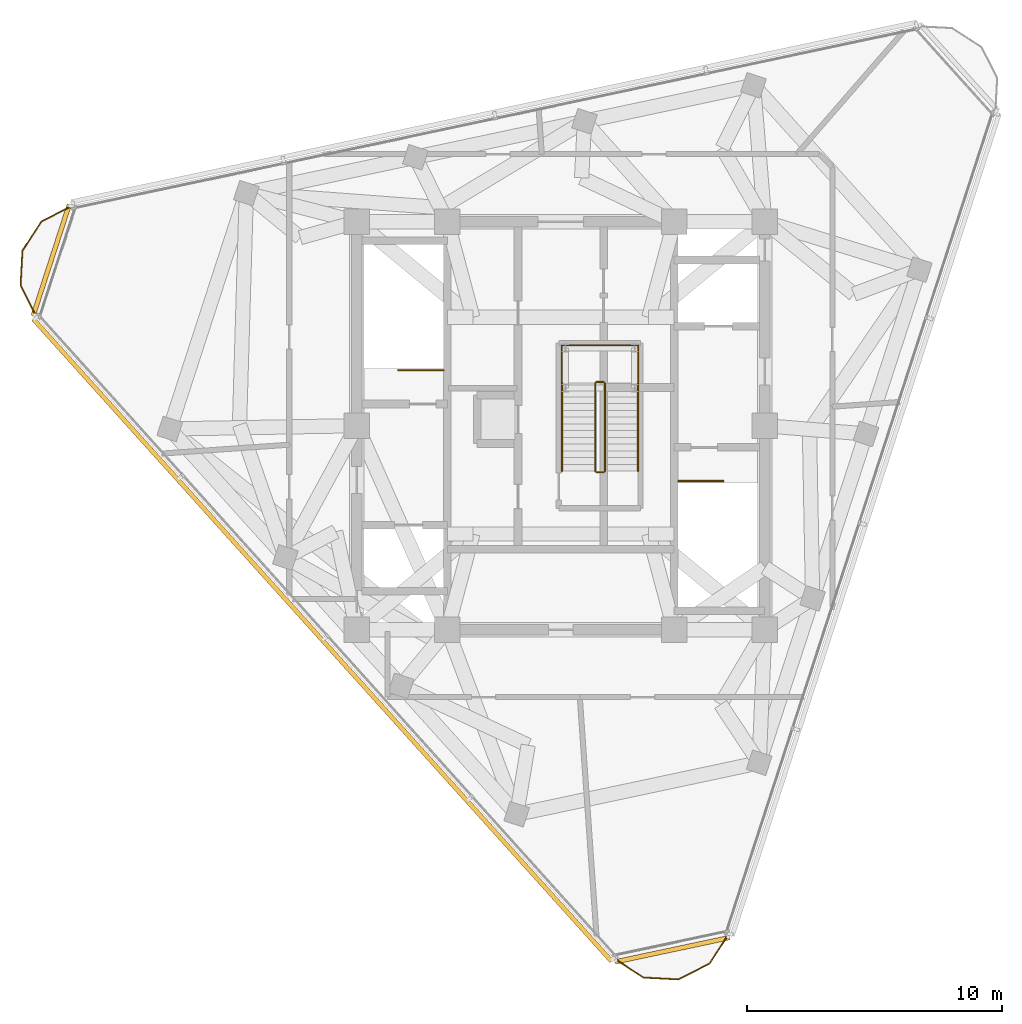
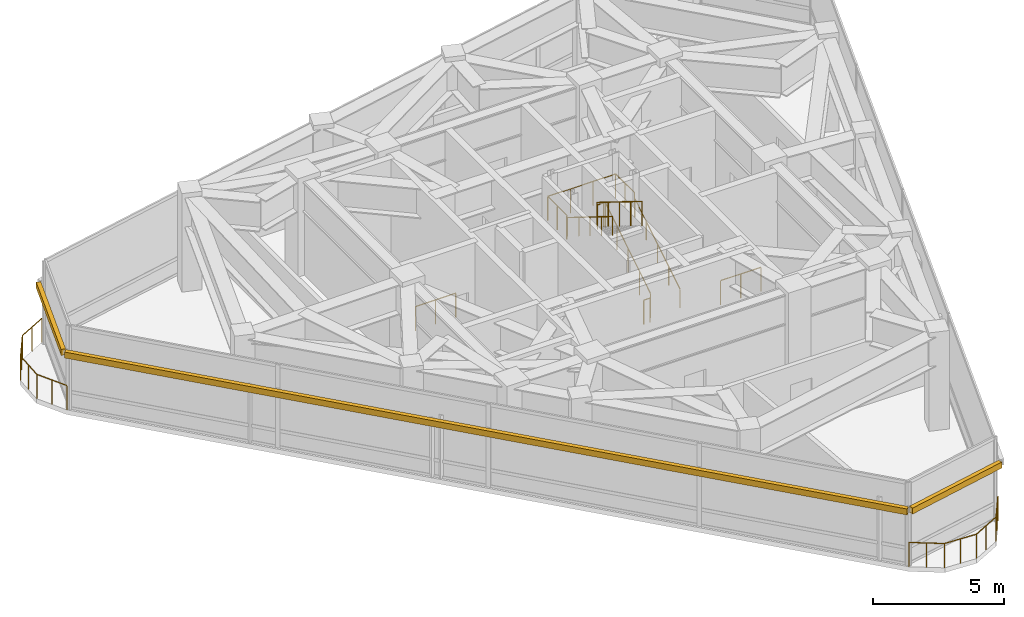
# One storey, part 9 of 11: 13 railings, 3 shading devices.
"""IFC4 building model written with IfcOpenShell, lengths in metres."""

from ifc_helpers import new_model, si_unit, direction, frame, origin, origin_2d, place, context, subcontext, project, spatial, rectangle, circle, extrude, material, layer, layer_set, type_object, element, save


model = new_model("IFC4")

# Units and contexts
model_context = context("Model", 3, precision=1e-05, world=origin(), true_north=direction((0.0, 1.0)))
body_context = subcontext(model_context, "Body", "Model", "MODEL_VIEW")
ifc_project = project(units=[si_unit("LENGTHUNIT", "METRE"), si_unit("AREAUNIT", "SQUARE_METRE"), si_unit("VOLUMEUNIT", "CUBIC_METRE"), si_unit("PLANEANGLEUNIT", "RADIAN"), si_unit("MASSUNIT", "GRAM", prefix="KILO")], contexts=[model_context])

# Site, building, storey
site_placement = place(None, origin())
site = spatial("IfcSite", under=ifc_project, at=site_placement, CompositionType="ELEMENT")
building_placement = place(site_placement, origin())
building = spatial("IfcBuilding", under=site, at=building_placement, Name="Terralouvre Media Tower", CompositionType="ELEMENT")
storey_placement = place(building_placement, frame((0.0, 0.0, 322.0)))
storey = spatial("IfcBuildingStorey", under=building, at=storey_placement, Name="L83", CompositionType="ELEMENT", Elevation=322.0)

# Railings
ifc_material_1 = material(Name="Stainless steel 316 handrail and balustrade", Category="steel")
ifc_layer_1 = layer(ifc_material_1, 0.06005859375, Name="Roof Edge Safety Guardrail GR-ROOF1")
ifc_layer_set_1 = layer_set([ifc_layer_1], Name="Stainless steel 316 handrail and balustrade")
railing_type_1 = type_object("IfcRailingType", Name="Roof Edge Safety Guardrail GR-ROOF1", PredefinedType="GUARDRAIL", material=ifc_layer_set_1)
railing_1_placement = place(storey_placement, frame((2.098388671875, -20.90283203125, 0.0)))
element("IfcRailing", 1, at=railing_1_placement, inside=storey, type_object=railing_type_1, Name="L83 Wind-Corner Perimeter Safety Guardrail C0", PredefinedType="GUARDRAIL", context=body_context, shape_type="SweptSolid", body=[
    extrude(circle(Radius=0.02099609375, at=origin_2d()), frame((0.0, 0.0, 1.12890625), z_axis=(0.838512770507, -0.544881944734, 0.0), x_axis=(0.544881944734, 0.838512770507, 0.0)), (0.0, 0.0, 1.0), 1.37109375),
    extrude(circle(Radius=0.02099609375, at=origin_2d()), frame((1.149658203125, -0.7470703125, 1.12890625), z_axis=(0.998619304661, -0.052530794379, 0.0), x_axis=(0.052530794379, 0.998619304661, 0.0)), (0.0, 0.0, 1.0), 1.37109375),
    extrude(circle(Radius=0.02099609375, at=origin_2d()), frame((2.518798828125, -0.819091796875, 1.12890625), z_axis=(0.890908973174, 0.454181903557, 0.0), x_axis=(-0.454181903557, 0.890908973174, 0.0)), (0.0, 0.0, 1.0), 1.37060546875),
    extrude(circle(Radius=0.02099609375, at=origin_2d()), frame((3.739990234375, -0.196533203125, 1.12890625), z_axis=(0.544468810845, 0.838781088257, 0.0), x_axis=(-0.838781088257, 0.544468810845, 0.0)), (0.0, 0.0, 1.0), 1.37109375),
    extrude(circle(Radius=0.01904296875, at=origin_2d()), origin(), (0.0, 0.0, 1.0), 1.10791015625),
    extrude(circle(Radius=0.01904296875, at=origin_2d()), frame((0.57470703125, -0.37353515625, 0.0)), (0.0, 0.0, 1.0), 1.10791015625),
    extrude(circle(Radius=0.01904296875, at=origin_2d()), frame((1.149658203125, -0.7470703125, 0.0)), (0.0, 0.0, 1.0), 1.10791015625),
    extrude(circle(Radius=0.01904296875, at=origin_2d()), frame((1.834228515625, -0.783203125, 0.0)), (0.0, 0.0, 1.0), 1.10791015625),
    extrude(circle(Radius=0.01904296875, at=origin_2d()), frame((2.518798828125, -0.819091796875, 0.0)), (0.0, 0.0, 1.0), 1.10791015625),
    extrude(circle(Radius=0.01904296875, at=origin_2d()), frame((3.12939453125, -0.5078125, 0.0)), (0.0, 0.0, 1.0), 1.10791015625),
    extrude(circle(Radius=0.01904296875, at=origin_2d()), frame((3.739990234375, -0.196533203125, 0.0)), (0.0, 0.0, 1.0), 1.10791015625),
    extrude(circle(Radius=0.01904296875, at=origin_2d()), frame((4.11328125, 0.37841796875, 0.0)), (0.0, 0.0, 1.0), 1.10791015625),
    extrude(circle(Radius=0.01904296875, at=origin_2d()), frame((4.486572265625, 0.95361328125, 0.0)), (0.0, 0.0, 1.0), 1.10791015625),
])
railing_2_placement = place(storey_placement, frame((-19.151611328125, 8.634033203125, 0.0)))
element("IfcRailing", 2, at=railing_2_placement, inside=storey, type_object=railing_type_1, Name="L83 Wind-Corner Perimeter Safety Guardrail C2", PredefinedType="GUARDRAIL", context=body_context, shape_type="SweptSolid", body=[
    extrude(circle(Radius=0.02099609375, at=origin_2d()), frame((0.0, 0.0, 1.12890625), z_axis=(-0.891163115601, -0.45368304067, 0.0), x_axis=(0.45368304067, -0.891163115601, 0.0)), (0.0, 0.0, 1.0), 1.37109375),
    extrude(circle(Radius=0.02099609375, at=origin_2d()), frame((-1.221923828125, -0.6220703125, 1.12890625), z_axis=(-0.544756727658, -0.838594125708, 0.0), x_axis=(0.838594125708, -0.544756727658, 0.0)), (0.0, 0.0, 1.0), 1.370849609375),
    extrude(circle(Radius=0.02099609375, at=origin_2d()), frame((-1.96875, -1.771728515625, 1.12890625), z_axis=(-0.052184906326, -0.99863743949, 0.0), x_axis=(0.99863743949, -0.052184906326, 0.0)), (0.0, 0.0, 1.0), 1.370849609375),
    extrude(circle(Radius=0.02099609375, at=origin_2d()), frame((-2.040283203125, -3.140625, 1.12890625), z_axis=(0.454392493039, -0.89080158412, 0.0), x_axis=(0.89080158412, 0.454392493039, 0.0)), (0.0, 0.0, 1.0), 1.37109375),
    extrude(circle(Radius=0.01904296875, at=origin_2d()), origin(), (0.0, 0.0, 1.0), 1.10791015625),
    extrude(circle(Radius=0.01904296875, at=origin_2d()), frame((-0.61083984375, -0.31103515625, 0.0)), (0.0, 0.0, 1.0), 1.10791015625),
    extrude(circle(Radius=0.01904296875, at=origin_2d()), frame((-1.221923828125, -0.6220703125, 0.0)), (0.0, 0.0, 1.0), 1.10791015625),
    extrude(circle(Radius=0.01904296875, at=origin_2d()), frame((-1.59521484375, -1.19677734375, 0.0)), (0.0, 0.0, 1.0), 1.10791015625),
    extrude(circle(Radius=0.01904296875, at=origin_2d()), frame((-1.96875, -1.771728515625, 0.0)), (0.0, 0.0, 1.0), 1.10791015625),
    extrude(circle(Radius=0.01904296875, at=origin_2d()), frame((-2.00439453125, -2.4560546875, 0.0)), (0.0, 0.0, 1.0), 1.10791015625),
    extrude(circle(Radius=0.01904296875, at=origin_2d()), frame((-2.040283203125, -3.140625, 0.0)), (0.0, 0.0, 1.0), 1.10791015625),
    extrude(circle(Radius=0.01904296875, at=origin_2d()), frame((-1.728759765625, -3.75146484375, 0.0)), (0.0, 0.0, 1.0), 1.10791015625),
    extrude(circle(Radius=0.01904296875, at=origin_2d()), frame((-1.417236328125, -4.362060546875, 0.0)), (0.0, 0.0, 1.0), 1.10791015625),
])
ifc_material_2 = material(Name="Stainless steel 316 handrail and balustrade", Category="steel")
ifc_layer_2 = layer(ifc_material_2, 0.050048828125, Name="Stair Flight Wall Handrail HR-INT1")
ifc_layer_set_2 = layer_set([ifc_layer_2], Name="Stainless steel 316 handrail and balustrade")
railing_type_2 = type_object("IfcRailingType", Name="Stair Flight Wall Handrail HR-INT1", PredefinedType="HANDRAIL", material=ifc_layer_set_2)
railing_3_placement = place(storey_placement, frame((3.030029296875, -1.780029296875, 0.164306640625)))
element("IfcRailing", 3, at=railing_3_placement, inside=storey, type_object=railing_type_2, Name="L83 ST-05 stair handrail 1", PredefinedType="HANDRAIL", context=body_context, shape_type="SweptSolid", body=[
    extrude(circle(Radius=0.02392578125, at=origin_2d()), frame((0.0, 0.0, 0.8759765625), z_axis=(0.0, 0.849924810024, 0.526903992494), x_axis=(-1.0, 0.0, 0.0)), (0.0, 0.0, 1.0), 4.053466796875),
    extrude(circle(Radius=0.02099609375, at=origin_2d()), origin(), (0.0, 0.0, 1.0), 0.851806640625),
    extrude(circle(Radius=0.02099609375, at=origin_2d()), frame((0.0, 0.861328125, 0.533935546875)), (0.0, 0.0, 1.0), 0.851806640625),
    extrude(circle(Radius=0.02099609375, at=origin_2d()), frame((0.0, 1.72265625, 1.06787109375)), (0.0, 0.0, 1.0), 0.851806640625),
    extrude(circle(Radius=0.02099609375, at=origin_2d()), frame((0.0, 2.583740234375, 1.601806640625)), (0.0, 0.0, 1.0), 0.851806640625),
    extrude(circle(Radius=0.02099609375, at=origin_2d()), frame((0.0, 3.445068359375, 2.1357421875)), (0.0, 0.0, 1.0), 0.851806640625),
])
railing_4_placement = place(storey_placement, frame((0.050048828125, 1.6650390625, 2.46435546875)))
element("IfcRailing", 4, at=railing_4_placement, inside=storey, type_object=railing_type_2, Name="L83 ST-05 stair handrail 2", PredefinedType="HANDRAIL", context=body_context, shape_type="SweptSolid", body=[
    extrude(circle(Radius=0.02392578125, at=origin_2d()), frame((0.0, 0.0, 0.8759765625), z_axis=(0.0, -0.849924810024, 0.526903992494), x_axis=(1.0, 0.0, 0.0)), (0.0, 0.0, 1.0), 4.053466796875),
    extrude(circle(Radius=0.02099609375, at=origin_2d()), origin(), (0.0, 0.0, 1.0), 0.851806640625),
    extrude(circle(Radius=0.02099609375, at=origin_2d()), frame((0.0, -0.861328125, 0.533935546875)), (0.0, 0.0, 1.0), 0.851806640625),
    extrude(circle(Radius=0.02099609375, at=origin_2d()), frame((0.0, -1.72265625, 1.06787109375)), (0.0, 0.0, 1.0), 0.851806640625),
    extrude(circle(Radius=0.02099609375, at=origin_2d()), frame((0.0, -2.583740234375, 1.601806640625)), (0.0, 0.0, 1.0), 0.851806640625),
    extrude(circle(Radius=0.02099609375, at=origin_2d()), frame((0.0, -3.445068359375, 2.1357421875)), (0.0, 0.0, 1.0), 0.851806640625),
])
ifc_material_3 = material(Name="Stainless steel 316 handrail and balustrade", Category="steel")
ifc_layer_3 = layer(ifc_material_3, 0.050048828125, Name="Stairwell Safety Guardrail GR-INT1")
ifc_layer_set_3 = layer_set([ifc_layer_3], Name="Stainless steel 316 handrail and balustrade")
railing_type_3 = type_object("IfcRailingType", Name="Stairwell Safety Guardrail GR-INT1", PredefinedType="GUARDRAIL", material=ifc_layer_set_3)
railing_5_placement = place(storey_placement, frame((-4.60009765625, 2.169921875, 0.0)))
element("IfcRailing", 5, at=railing_5_placement, inside=storey, type_object=railing_type_3, Name="L83 ST-01 top well guard 1", PredefinedType="GUARDRAIL", context=body_context, shape_type="SweptSolid", body=[
    extrude(circle(Radius=0.02392578125, at=origin_2d()), frame((0.0, 0.0, 1.1259765625), z_axis=(-1.0, 0.0, 0.0), x_axis=(0.0, -1.0, 0.0)), (0.0, 0.0, 1.0), 1.77978515625),
    extrude(circle(Radius=0.02099609375, at=origin_2d()), origin(), (0.0, 0.0, 1.0), 1.101806640625),
    extrude(circle(Radius=0.02099609375, at=origin_2d()), frame((-0.889892578125, 0.0, 0.0)), (0.0, 0.0, 1.0), 1.101806640625),
    extrude(circle(Radius=0.02099609375, at=origin_2d()), frame((-1.77978515625, 0.0, 0.0)), (0.0, 0.0, 1.0), 1.101806640625),
])
railing_6_placement = place(storey_placement, frame((4.60009765625, -2.169921875, 0.0)))
element("IfcRailing", 6, at=railing_6_placement, inside=storey, type_object=railing_type_3, Name="L83 ST-02 top well guard 1", PredefinedType="GUARDRAIL", context=body_context, shape_type="SweptSolid", body=[
    extrude(circle(Radius=0.02392578125, at=origin_2d()), frame((0.0, 0.0, 1.1259765625), z_axis=(1.0, 0.0, 0.0), x_axis=(0.0, 1.0, 0.0)), (0.0, 0.0, 1.0), 1.77978515625),
    extrude(circle(Radius=0.02099609375, at=origin_2d()), origin(), (0.0, 0.0, 1.0), 1.101806640625),
    extrude(circle(Radius=0.02099609375, at=origin_2d()), frame((0.889892578125, 0.0, 0.0)), (0.0, 0.0, 1.0), 1.101806640625),
    extrude(circle(Radius=0.02099609375, at=origin_2d()), frame((1.77978515625, 0.0, 0.0)), (0.0, 0.0, 1.0), 1.101806640625),
])
railing_7_placement = place(storey_placement, frame((1.72998046875, -1.780029296875, 0.164306640625)))
element("IfcRailing", 7, at=railing_7_placement, inside=storey, type_object=railing_type_3, Name="L83 ST-05 stair guard 1", PredefinedType="GUARDRAIL", context=body_context, shape_type="SweptSolid", body=[
    extrude(circle(Radius=0.02392578125, at=origin_2d()), frame((0.0, 0.0, 1.1259765625), z_axis=(0.0, 0.849924810024, 0.526903992494), x_axis=(-1.0, 0.0, 0.0)), (0.0, 0.0, 1.0), 4.053466796875),
    extrude(circle(Radius=0.02099609375, at=origin_2d()), origin(), (0.0, 0.0, 1.0), 1.101806640625),
    extrude(circle(Radius=0.02099609375, at=origin_2d()), frame((0.0, 0.861328125, 0.533935546875)), (0.0, 0.0, 1.0), 1.101806640625),
    extrude(circle(Radius=0.02099609375, at=origin_2d()), frame((0.0, 1.72265625, 1.06787109375)), (0.0, 0.0, 1.0), 1.101806640625),
    extrude(circle(Radius=0.02099609375, at=origin_2d()), frame((0.0, 2.583740234375, 1.601806640625)), (0.0, 0.0, 1.0), 1.101806640625),
    extrude(circle(Radius=0.02099609375, at=origin_2d()), frame((0.0, 3.445068359375, 2.1357421875)), (0.0, 0.0, 1.0), 1.101806640625),
])
railing_8_placement = place(storey_placement, frame((1.679931640625, 1.715087890625, 2.300048828125)))
element("IfcRailing", 8, at=railing_8_placement, inside=storey, type_object=railing_type_3, Name="L83 ST-05 stair guard 2", PredefinedType="GUARDRAIL", context=body_context, shape_type="SweptSolid", body=[
    extrude(circle(Radius=0.02392578125, at=origin_2d()), frame((0.0, 0.0, 1.1259765625), z_axis=(-1.0, 0.0, 0.0), x_axis=(0.0, -1.0, 0.0)), (0.0, 0.0, 1.0), 0.280029296875),
    extrude(circle(Radius=0.02099609375, at=origin_2d()), origin(), (0.0, 0.0, 1.0), 1.101806640625),
    extrude(circle(Radius=0.02099609375, at=origin_2d()), frame((-0.280029296875, 0.0, 0.0)), (0.0, 0.0, 1.0), 1.101806640625),
])
railing_9_placement = place(storey_placement, frame((1.35009765625, 1.6650390625, 2.46435546875)))
element("IfcRailing", 9, at=railing_9_placement, inside=storey, type_object=railing_type_3, Name="L83 ST-05 stair guard 3", PredefinedType="GUARDRAIL", context=body_context, shape_type="SweptSolid", body=[
    extrude(circle(Radius=0.02392578125, at=origin_2d()), frame((0.0, 0.0, 1.1259765625), z_axis=(0.0, -0.849924810024, 0.526903992494), x_axis=(1.0, 0.0, 0.0)), (0.0, 0.0, 1.0), 4.053466796875),
    extrude(circle(Radius=0.02099609375, at=origin_2d()), origin(), (0.0, 0.0, 1.0), 1.101806640625),
    extrude(circle(Radius=0.02099609375, at=origin_2d()), frame((0.0, -0.861328125, 0.533935546875)), (0.0, 0.0, 1.0), 1.101806640625),
    extrude(circle(Radius=0.02099609375, at=origin_2d()), frame((0.0, -1.72265625, 1.06787109375)), (0.0, 0.0, 1.0), 1.101806640625),
    extrude(circle(Radius=0.02099609375, at=origin_2d()), frame((0.0, -2.583740234375, 1.601806640625)), (0.0, 0.0, 1.0), 1.101806640625),
    extrude(circle(Radius=0.02099609375, at=origin_2d()), frame((0.0, -3.445068359375, 2.1357421875)), (0.0, 0.0, 1.0), 1.101806640625),
])
railing_10_placement = place(storey_placement, frame((1.679931640625, -1.830078125, 0.0)))
element("IfcRailing", 10, at=railing_10_placement, inside=storey, type_object=railing_type_3, Name="L83 ST-05 stair guard 4", PredefinedType="GUARDRAIL", context=body_context, shape_type="SweptSolid", body=[
    extrude(circle(Radius=0.02392578125, at=origin_2d()), frame((0.0, 0.0, 1.1259765625), z_axis=(-1.0, 0.0, 0.0), x_axis=(0.0, -1.0, 0.0)), (0.0, 0.0, 1.0), 0.280029296875),
    extrude(circle(Radius=0.02099609375, at=origin_2d()), origin(), (0.0, 0.0, 1.0), 1.101806640625),
    extrude(circle(Radius=0.02099609375, at=origin_2d()), frame((-0.280029296875, 0.0, 0.0)), (0.0, 0.0, 1.0), 1.101806640625),
])
for number, where, name in (
    (11, (0.0400390625, 1.705078125, 2.300048828125), "L83 ST-05 Half-Landing West Guardrail"),
    (12, (3.0400390625, 1.705078125, 2.300048828125), "L83 ST-05 Half-Landing East Guardrail"),
):
    element("IfcRailing", number, at=place(storey_placement, frame(where)), inside=storey, type_object=railing_type_3, Name=name, PredefinedType="GUARDRAIL", context=body_context, shape_type="SweptSolid", body=[
        extrude(circle(Radius=0.02392578125, at=origin_2d()), frame((0.0, 0.0, 1.1259765625), z_axis=(0.0, 1.0, 0.0), x_axis=(-1.0, 0.0, 0.0)), (0.0, 0.0, 1.0), 1.454833984375),
        extrude(circle(Radius=0.02099609375, at=origin_2d()), origin(), (0.0, 0.0, 1.0), 1.101806640625),
        extrude(circle(Radius=0.02099609375, at=origin_2d()), frame((0.0, 0.7275390625, 0.0)), (0.0, 0.0, 1.0), 1.101806640625),
        extrude(circle(Radius=0.02099609375, at=origin_2d()), frame((0.0, 1.454833984375, 0.0)), (0.0, 0.0, 1.0), 1.101806640625),
    ])
railing_11_placement = place(storey_placement, frame((0.0400390625, 3.159912109375, 2.300048828125)))
element("IfcRailing", 13, at=railing_11_placement, inside=storey, type_object=railing_type_3, Name="L83 ST-05 Half-Landing North Guardrail", PredefinedType="GUARDRAIL", context=body_context, shape_type="SweptSolid", body=[
    extrude(circle(Radius=0.02392578125, at=origin_2d()), frame((0.0, 0.0, 1.1259765625), z_axis=(1.0, 0.0, 0.0), x_axis=(0.0, 1.0, 0.0)), (0.0, 0.0, 1.0), 3.0),
    extrude(circle(Radius=0.02099609375, at=origin_2d()), origin(), (0.0, 0.0, 1.0), 1.101806640625),
    extrude(circle(Radius=0.02099609375, at=origin_2d()), frame((1.0, 0.0, 0.0)), (0.0, 0.0, 1.0), 1.101806640625),
    extrude(circle(Radius=0.02099609375, at=origin_2d()), frame((2.0, 0.0, 0.0)), (0.0, 0.0, 1.0), 1.101806640625),
    extrude(circle(Radius=0.02099609375, at=origin_2d()), frame((3.0, 0.0, 0.0)), (0.0, 0.0, 1.0), 1.101806640625),
])

# Shading devices
ifc_material_4 = material(Name="Extruded terracotta baguette sunshade louvres", Category="masonry")
shading_device_type = type_object("IfcShadingDeviceType", Name="Terracotta Baguette Sunshade Louvre Screen TB-LV1", PredefinedType="USERDEFINED", material=ifc_material_4)
shading_device_placement = place(storey_placement, frame((-9.345947265625, -8.4150390625, 2.56982421875), z_axis=(0.0, 0.0, 1.0), x_axis=(0.669130640069, -0.743144795125, 0.0)))
element("IfcShadingDevice", 14, at=shading_device_placement, inside=storey, type_object=shading_device_type, Name="CW-L83-F2 Terracotta Baguette Sunshade Louvre", ObjectType="BAGUETTE", PredefinedType="USERDEFINED", context=body_context, shape_type="SweptSolid", body=[
    extrude(rectangle(XDim=33.89990234375, YDim=0.179931640625, at=origin_2d()), origin(), (0.0, 0.0, 1.0), 0.280029296875),
])
for number, where, z_axis, x_axis, name in (
    (15, (4.36962890625, -20.557861328125, 2.56982421875), (0.0, 0.0, 1.0), (0.97814770891, 0.207911181887, 0.0), "CW-L83-C0 Terracotta Baguette Sunshade Louvre"),
    (16, (-19.988525390625, 6.49462890625, 2.56982421875), (0.0, 0.0, 1.0), (-0.309017890708, -0.951056225058, 0.0), "CW-L83-C2 Terracotta Baguette Sunshade Louvre"),
):
    element("IfcShadingDevice", number, at=place(storey_placement, frame(where, z_axis=z_axis, x_axis=x_axis)), inside=storey, type_object=shading_device_type, Name=name, ObjectType="BAGUETTE", PredefinedType="USERDEFINED", context=body_context, shape_type="SweptSolid", body=[
        extrude(rectangle(XDim=4.58984375, YDim=0.179931640625, at=origin_2d()), origin(), (0.0, 0.0, 1.0), 0.280029296875),
    ])

save(model, "model.ifc")
